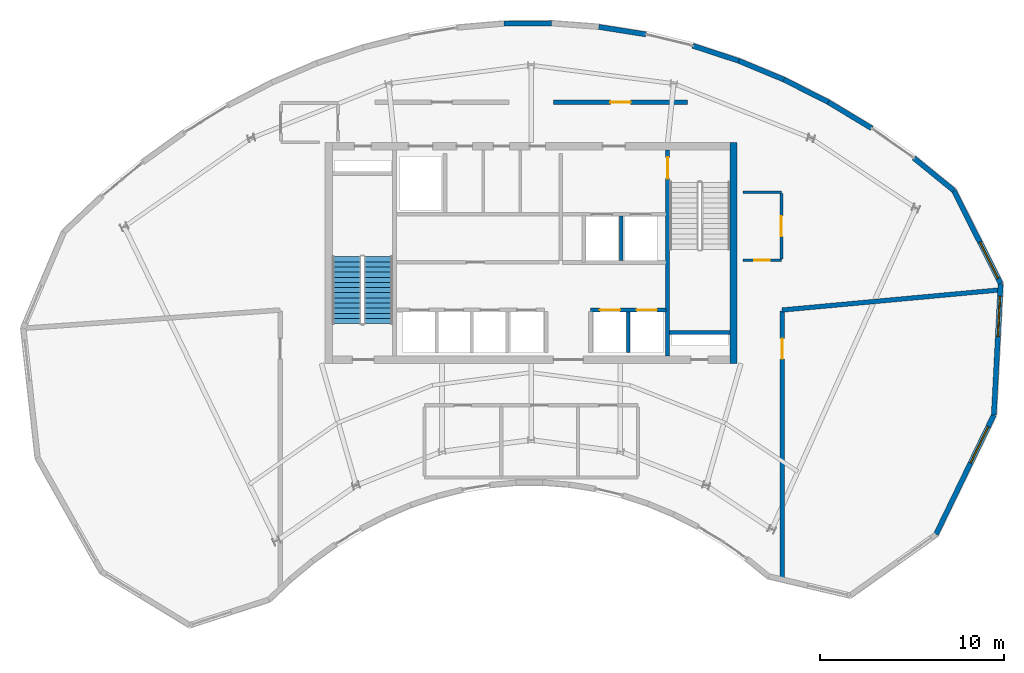
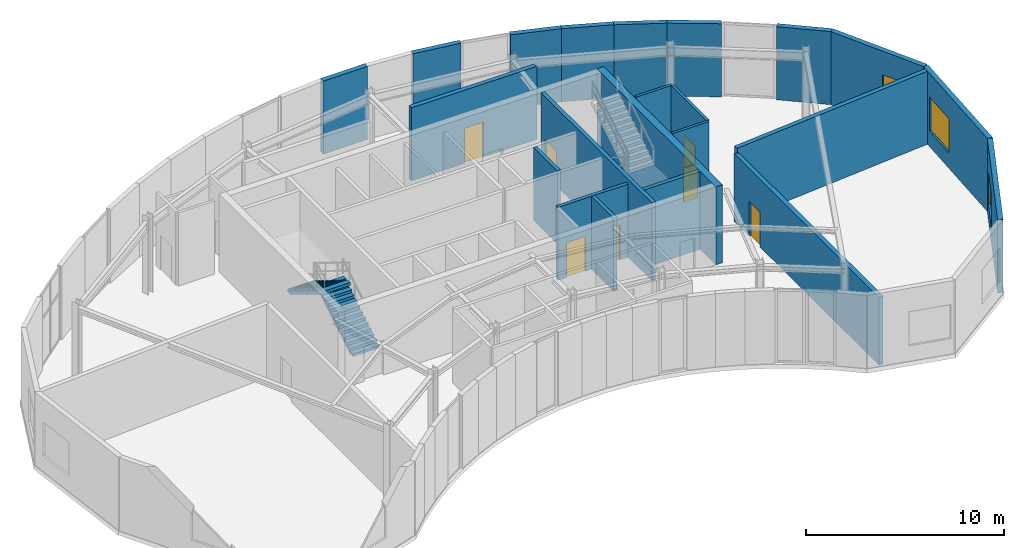
# One storey, part 8 of 10: 22 walls, 7 doors, 3 windows, 2 stair flights, 10 openings, 1 element without a shape of its own.
"""IFC4 building model written with IfcOpenShell, lengths in metres."""

import ifcopenshell
import ifcopenshell.guid

model = None  # the IFC model being written
_history = None  # IfcOwnerHistory: only IFC2X3 demands one
_inside = {}  # id of a spatial element -> (the spatial element, [elements in it])
_under = {}  # id of a project, library or spatial element -> (it, [spatial elements below it])
_declared = {}  # id of a project -> (the project, [libraries it declares])
_typed = {}  # id of a type object -> (the type object, [elements of that type])
_made_of = {}  # id of a material, layer set ... -> (it, [elements and type objects made of it])


def new_model(schema):
    """Start an empty IFC model of exactly this schema.

    Asked for "IFC4X3", IfcOpenShell would pick the latest addendum, in which some entities
    have other attributes; the version numbers below select the first issue.
    IFC2X3 requires an IfcOwnerHistory on every rooted entity: one is made here for all.
    """
    global model, _history
    if schema == "IFC4X3":
        model = ifcopenshell.file(schema_version=(4, 3, 0, 0))
    else:
        model = ifcopenshell.file(schema=schema)
    _inside.clear()
    _under.clear()
    _declared.clear()
    _typed.clear()
    _made_of.clear()
    _history = None
    if model.schema == "IFC2X3":
        org = make("IfcOrganization", Name="unknown")
        user = make(
            "IfcPersonAndOrganization",
            ThePerson=make("IfcPerson", FamilyName="unknown"),
            TheOrganization=org,
        )
        app = make(
            "IfcApplication",
            ApplicationDeveloper=org,
            Version="unknown",
            ApplicationFullName="unknown",
            ApplicationIdentifier="unknown",
        )
        _history = make(
            "IfcOwnerHistory",
            OwningUser=user,
            OwningApplication=app,
            ChangeAction="ADDED",
            CreationDate=0,
        )
    return model


def make(cls, **values):
    """One entity of the class cls with the attributes given. An attribute that is None is left unset."""
    return model.create_entity(
        cls, **{name: value for name, value in values.items() if value is not None}
    )


def rooted(cls, **values):
    """An entity with a GlobalId (a new one), such as an element, a storey or a relation."""
    return make(cls, GlobalId=ifcopenshell.guid.new(), OwnerHistory=_history, **values)


def si_unit(unit_type, name, prefix=None):
    """IfcSIUnit, for example si_unit("LENGTHUNIT", "METRE", prefix="MILLI")."""
    return make("IfcSIUnit", UnitType=unit_type, Prefix=prefix, Name=name)


def assignment(units):
    """IfcUnitAssignment: the units of a project."""
    return None if units is None else make("IfcUnitAssignment", Units=units)


def point(xyz):
    """IfcCartesianPoint."""
    return None if xyz is None else make("IfcCartesianPoint", Coordinates=xyz)


def direction(xyz):
    """IfcDirection."""
    return None if xyz is None else make("IfcDirection", DirectionRatios=xyz)


def frame(location, z_axis=None, x_axis=None):
    """IfcAxis2Placement3D, a coordinate frame: its origin and axes. An axis left out is left unset."""
    return make(
        "IfcAxis2Placement3D",
        Location=point(location),
        Axis=direction(z_axis),
        RefDirection=direction(x_axis),
    )


def frame_2d(location, x_axis=None):
    """IfcAxis2Placement2D, a coordinate frame in the plane: its origin and x axis."""
    return make(
        "IfcAxis2Placement2D", Location=point(location), RefDirection=direction(x_axis)
    )


def origin():
    """The frame at (0, 0, 0) with its axes left unset."""
    return frame((0.0, 0.0, 0.0))


def place(relative_to, where):
    """IfcLocalPlacement: puts the frame where relative to a parent placement (None: the world)."""
    return make(
        "IfcLocalPlacement", PlacementRelTo=relative_to, RelativePlacement=where
    )


def context(
    kind, dimensions, precision=None, world=None, true_north=None, identifier=None
):
    """IfcGeometricRepresentationContext, for example the 3D "Model" context."""
    return make(
        "IfcGeometricRepresentationContext",
        ContextIdentifier=identifier,
        ContextType=kind,
        CoordinateSpaceDimension=dimensions,
        Precision=precision,
        WorldCoordinateSystem=world,
        TrueNorth=true_north,
    )


def subcontext(parent, identifier, kind, view, scale=None):
    """IfcGeometricRepresentationSubContext, for example "Body" below "Model"."""
    return make(
        "IfcGeometricRepresentationSubContext",
        ContextIdentifier=identifier,
        ContextType=kind,
        ParentContext=parent,
        TargetScale=scale,
        TargetView=view,
    )


def project(units=None, contexts=None):
    """IfcProject with its units and contexts."""
    return rooted(
        "IfcProject",
        Name="project",
        RepresentationContexts=contexts,
        UnitsInContext=assignment(units),
    )


def spatial(cls, under=None, at=None, **own):
    """A site, building, storey or space (cls), placed at a placement, below another one or the project."""
    s = rooted(cls, ObjectPlacement=at, **own)
    if under is not None:
        _under.setdefault(under.id(), (under, []))[1].append(s)
    return s


def polyline(points):
    """IfcPolyline through the points."""
    return make("IfcPolyline", Points=[point(p) for p in points])


def profile(cls, at=None, kind="AREA", **sizes):
    """A parametric profile (cls). Its sizes go by their IFC names, for example OverallWidth=200.0."""
    return make(cls, ProfileType=kind, Position=at, **sizes)


def rectangle(**sizes):
    """IfcRectangleProfileDef."""
    return profile("IfcRectangleProfileDef", **sizes)


def outline(outer, holes=None, kind="AREA"):
    """IfcArbitraryClosedProfileDef: a profile drawn as a closed curve; with holes, ...WithVoids."""
    if holes is None:
        return make("IfcArbitraryClosedProfileDef", ProfileType=kind, OuterCurve=outer)
    return make(
        "IfcArbitraryProfileDefWithVoids",
        ProfileType=kind,
        OuterCurve=outer,
        InnerCurves=holes,
    )


def extrude(swept, where, along, depth):
    """IfcExtrudedAreaSolid: the profile swept, set in the frame where, extruded along a direction by depth."""
    return make(
        "IfcExtrudedAreaSolid",
        SweptArea=swept,
        Position=where,
        ExtrudedDirection=direction(along),
        Depth=depth,
    )


def shape(context_of_items, identifier, shape_type, items):
    """IfcShapeRepresentation: the items that make up one representation, for example the "Body"."""
    return make(
        "IfcShapeRepresentation",
        ContextOfItems=context_of_items,
        RepresentationIdentifier=identifier,
        RepresentationType=shape_type,
        Items=items,
    )


def source(mapping_origin, context_of_items, identifier, shape_type, items):
    """IfcRepresentationMap: a shape defined once, which mapped items show again and again."""
    return make(
        "IfcRepresentationMap",
        MappingOrigin=mapping_origin,
        MappedRepresentation=shape(context_of_items, identifier, shape_type, items),
    )


def transform(
    local_origin,
    x_axis=None,
    y_axis=None,
    z_axis=None,
    scale=None,
    scale2=None,
    scale3=None,
    uniform=True,
):
    """IfcCartesianTransformationOperator3D, or its non-uniform kind. x_axis, y_axis, z_axis: its Axis1, 2, 3."""
    if uniform:
        return make(
            "IfcCartesianTransformationOperator3D",
            Axis1=direction(x_axis),
            Axis2=direction(y_axis),
            LocalOrigin=point(local_origin),
            Scale=scale,
            Axis3=direction(z_axis),
        )
    return make(
        "IfcCartesianTransformationOperator3DnonUniform",
        Axis1=direction(x_axis),
        Axis2=direction(y_axis),
        LocalOrigin=point(local_origin),
        Scale=scale,
        Axis3=direction(z_axis),
        Scale2=scale2,
        Scale3=scale3,
    )


def mapped(mapping_source, mapping_target):
    """IfcMappedItem: shows the shape of a source again, moved by a transform."""
    return make(
        "IfcMappedItem", MappingSource=mapping_source, MappingTarget=mapping_target
    )


def material(Name=None, Category=None):
    """IfcMaterial."""
    return make("IfcMaterial", Name=Name, Category=Category)


def layer(
    of_material, thickness, ventilated=None, Name=None, Category=None, Priority=None
):
    """IfcMaterialLayer: one layer of a wall or slab, of a material (None: an air gap)."""
    return make(
        "IfcMaterialLayer",
        Material=of_material,
        LayerThickness=thickness,
        IsVentilated=ventilated,
        Name=Name,
        Category=Category,
        Priority=Priority,
    )


def layer_set(layers, Name=None):
    """IfcMaterialLayerSet."""
    return make("IfcMaterialLayerSet", MaterialLayers=layers, LayerSetName=Name)


def made_of(thing, what):
    """Note that an element or type object is made of a material, layer set ...; save() writes the relation."""
    if what is not None:
        _made_of.setdefault(what.id(), (what, []))[1].append(thing)
    return thing


def type_object(cls, material=None, **own):
    """A type object (cls), such as IfcWallType, which elements share."""
    return made_of(rooted(cls, **own), material)


def type_shapes(of_type, sources):
    """Give a type object the sources (RepresentationMaps) that its elements show as mapped items."""
    of_type.RepresentationMaps = sources


def element(
    cls,
    number,
    at=None,
    inside=None,
    cuts=None,
    type_object=None,
    material=None,
    context=None,
    identifier="Body",
    shape_type=None,
    held_by="IfcProductDefinitionShape",
    body=None,
    shapes=None,
    **own,
):
    """One element of the class cls, such as IfcWall. Its Tag is "e" and its number.

    at: its placement. inside: the storey or other place that contains it. cuts: it is an
    opening in that element (IfcRelVoidsElement). A single representation is given by context,
    identifier, shape_type and body (its items); several are given by shapes. held_by: the class
    of the entity that holds the representations. save() writes the other relations.
    """
    e = rooted(cls, Tag="e%d" % number, ObjectPlacement=at, **own)
    if body is not None:
        shapes = [shape(context, identifier, shape_type, body)]
    if shapes is not None:
        e.Representation = make(held_by, Representations=shapes)
    if inside is not None:
        _inside.setdefault(inside.id(), (inside, []))[1].append(e)
    if cuts is not None:
        rooted(
            "IfcRelVoidsElement", RelatingBuildingElement=cuts, RelatedOpeningElement=e
        )
    if type_object is not None:
        _typed.setdefault(type_object.id(), (type_object, []))[1].append(e)
    return made_of(e, material)


def fill(opening, filler):
    """IfcRelFillsElement: the door or window that sits in an opening."""
    return rooted(
        "IfcRelFillsElement",
        RelatingOpeningElement=opening,
        RelatedBuildingElement=filler,
    )


def aggregate(whole, parts):
    """IfcRelAggregates: a whole, such as a stair, and the parts it consists of."""
    return rooted("IfcRelAggregates", RelatingObject=whole, RelatedObjects=parts)


def save(model, path):
    """Write the relations noted so far, then the file.

    IfcRelAggregates (storeys below a building ...), IfcRelContainedInSpatialStructure (elements
    in a storey), IfcRelDefinesByType, IfcRelAssociatesMaterial and IfcRelDeclares: one each for
    every whole, place, type object, material and project.
    """
    for whole, parts in _under.values():
        aggregate(whole, parts)
    for where, things in _inside.values():
        rooted(
            "IfcRelContainedInSpatialStructure",
            RelatedElements=things,
            RelatingStructure=where,
        )
    for kind, things in _typed.values():
        rooted("IfcRelDefinesByType", RelatedObjects=things, RelatingType=kind)
    for what, things in _made_of.values():
        rooted("IfcRelAssociatesMaterial", RelatedObjects=things, RelatingMaterial=what)
    for by, libraries in _declared.values():
        rooted("IfcRelDeclares", RelatingContext=by, RelatedDefinitions=libraries)
    model.write(path)


model = new_model("IFC4")

# Units and contexts
model_context = context("Model", 3, precision=1e-05, world=origin(), true_north=direction((0.0, 1.0)))
body_context = subcontext(model_context, "Body", "Model", "MODEL_VIEW")
ifc_project = project(units=[si_unit("LENGTHUNIT", "METRE"), si_unit("AREAUNIT", "SQUARE_METRE"), si_unit("VOLUMEUNIT", "CUBIC_METRE"), si_unit("PLANEANGLEUNIT", "RADIAN"), si_unit("MASSUNIT", "GRAM", prefix="KILO")], contexts=[model_context])

# Site, building, storey
site_placement = place(None, origin())
site = spatial("IfcSite", under=ifc_project, at=site_placement, CompositionType="ELEMENT")
building_placement = place(site_placement, origin())
building = spatial("IfcBuilding", under=site, at=building_placement, Name="Breltana Convention Tower", CompositionType="ELEMENT")
storey_placement = place(building_placement, frame((0.0, 0.0, 307.800048828125)))
storey = spatial("IfcBuildingStorey", under=building, at=storey_placement, Name="L75", CompositionType="ELEMENT", Elevation=307.800048828125)

# Walls
ifc_material_1 = material(Name="Concrete C50/60", Category="concrete")
ifc_layer_1 = layer(ifc_material_1, 0.39990234375, Name="Concrete C50/60")
ifc_layer_set_1 = layer_set([ifc_layer_1], Name="Concrete C50/60")
wall_type_1 = type_object("IfcWallType", Name="SW-CORE-400", PredefinedType="SHEAR", material=ifc_layer_set_1)
shared_shape_1 = source(origin(), body_context, "Body", "SweptSolid", [
    extrude(rectangle(XDim=3.27001953125, YDim=0.219970703125, at=frame_2d((1.635009765625, 0.0))), origin(), (0.0, 0.0, 1.0), 4.800048828125),
])
wall_1_placement = place(storey_placement, frame((55.530029296875, 61.889892578125, 0.0), z_axis=(0.0, 0.0, 1.0), x_axis=(1.0, 0.0, 0.0)))
element("IfcWall", 1, at=wall_1_placement, inside=storey, type_object=wall_type_1, Name="L75 ST-2 Stairwell South Bearing Wall", PredefinedType="SHEAR", context=body_context, shape_type="MappedRepresentation", body=[
    mapped(shared_shape_1, transform((0.0, 0.0, 0.0), scale=1.0)),
])
shared_shape_2 = source(origin(), body_context, "Body", "SweptSolid", [
    extrude(rectangle(XDim=12.0, YDim=0.39990234375, at=frame_2d((6.0, 0.0))), origin(), (0.0, 0.0, 1.0), 4.800048828125),
])
wall_2_placement = place(storey_placement, frame((59.0, 60.199951171875, 0.0), z_axis=(0.0, 0.0, 1.0), x_axis=(0.0, 1.0, 0.0)))
element("IfcWall", 2, at=wall_2_placement, inside=storey, type_object=wall_type_1, Name="L75 East Core Shear Wall", PredefinedType="SHEAR", context=body_context, shape_type="MappedRepresentation", body=[
    mapped(shared_shape_2, transform((0.0, 0.0, 0.0), scale=1.0)),
])

# Wall, opening, door
shared_shape_3 = source(origin(), body_context, "Body", "SweptSolid", [
    extrude(rectangle(XDim=11.199951171875, YDim=0.219970703125, at=frame_2d((5.60009765625, 0.0))), origin(), (0.0, 0.0, 1.0), 4.800048828125),
])
wall_3_placement = place(storey_placement, frame((55.419921875, 60.60009765625, 0.0), z_axis=(0.0, 0.0, 1.0), x_axis=(0.0, 1.0, 0.0)))
wall_3 = element("IfcWall", 3, at=wall_3_placement, inside=storey, type_object=wall_type_1, Name="L75 Core East Stair Spine Wall", PredefinedType="SHEAR", context=body_context, shape_type="MappedRepresentation", body=[
    mapped(shared_shape_3, transform((0.0, 0.0, 0.0), scale=1.0)),
])
opening_1_placement = place(wall_3_placement, frame((9.64501953125, 0.0, 0.0)))
opening_1 = element("IfcOpeningElement", 4, at=opening_1_placement, cuts=wall_3, Name="Opening D-11", PredefinedType="OPENING", context=body_context, shape_type="SweptSolid", body=[
    extrude(rectangle(XDim=1.14990234375, YDim=2.14990234375, at=frame_2d((0.574951171875, 1.074951171875))), frame((0.0, 0.1201171875, 0.0), z_axis=(0.0, -1.0, 0.0), x_axis=(1.0, 0.0, 0.0)), (0.0, 0.0, 1.0), 0.239990234375),
])
ifc_material_2 = material(Name="Steel Stair Exit Door", Category="steel")
door_type_1 = type_object("IfcDoorType", Name="DR-FD120-1150", OperationType="NOTDEFINED", PredefinedType="DOOR", material=ifc_material_2)
shared_shape_4 = source(origin(), body_context, "Body", "SweptSolid", [
    extrude(rectangle(XDim=1.14990234375, YDim=2.14990234375, at=frame_2d((0.574951171875, 1.074951171875))), frame((0.0, 0.02490234375, 0.0), z_axis=(0.0, -1.0, 0.0), x_axis=(1.0, 0.0, 0.0)), (0.0, 0.0, 1.0), 0.050048828125),
])
type_shapes(door_type_1, [shared_shape_4])
door_1_placement = place(opening_1_placement, origin())
door_1 = element("IfcDoor", 5, at=door_1_placement, inside=storey, type_object=door_type_1, Name="L75 interior door D-L75-ST2", OperationType="SINGLE_SWING_LEFT", OverallHeight=2.14990234375, OverallWidth=1.14990234375, PredefinedType="DOOR", context=body_context, shape_type="MappedRepresentation", body=[
    mapped(shared_shape_4, transform((0.0, 0.0, 0.0), scale=1.0)),
])
fill(opening_1, door_1)

# Wall, opening, window
ifc_material_3 = material(Name="Limestone Buff Insulated Wall", Category="masonry")
ifc_layer_2 = layer(ifc_material_3, 0.280029296875, Name="Limestone Buff Insulated Wall")
ifc_layer_set_2 = layer_set([ifc_layer_2], Name="Limestone Buff Insulated Wall")
wall_type_2 = type_object("IfcWallType", Name="WL-EXT-NOSE-280", PredefinedType="SOLIDWALL", material=ifc_layer_set_2)
shared_shape_5 = source(origin(), body_context, "Body", "SweptSolid", [
    extrude(rectangle(XDim=5.6533203125, YDim=0.280029296875, at=frame_2d((2.82666015625, 0.0))), origin(), (0.0, 0.0, 1.0), 4.5),
])
wall_4_placement = place(storey_placement, frame((70.976318359375, 69.5908203125, 0.0), z_axis=(0.0, 0.0, 1.0), x_axis=(0.449302555419, -0.893379658205, 0.0)))
wall_4 = element("IfcWall", 6, at=wall_4_placement, inside=storey, type_object=wall_type_2, Name="L75 curved limestone nose wall E1", PredefinedType="SOLIDWALL", context=body_context, shape_type="MappedRepresentation", body=[
    mapped(shared_shape_5, transform((0.0, 0.0, 0.0), scale=1.0)),
])
opening_2_placement = place(wall_4_placement, frame((3.139892578125, 0.0, 0.949951171875)))
opening_2 = element("IfcOpeningElement", 7, at=opening_2_placement, cuts=wall_4, Name="Opening W-03", PredefinedType="OPENING", context=body_context, shape_type="SweptSolid", body=[
    extrude(rectangle(XDim=2.199951171875, YDim=2.10009765625, at=frame_2d((1.10009765625, 1.050048828125))), frame((0.0, 0.14990234375, 0.0), z_axis=(0.0, -1.0, 0.0), x_axis=(1.0, 0.0, 0.0)), (0.0, 0.0, 1.0), 0.300048828125),
])
ifc_material_4 = material(Name="Glass Low-E Insulated Window", Category="glass")
window_type = type_object("IfcWindowType", Name="WN-NOSE-2200X2100", PartitioningType="TRIPLE_PANEL_VERTICAL", PredefinedType="WINDOW", material=ifc_material_4)
shared_shape_6 = source(origin(), body_context, "Body", "SweptSolid", [
    extrude(rectangle(XDim=2.199951171875, YDim=2.10009765625, at=frame_2d((1.10009765625, 1.050048828125))), frame((0.0, 0.030029296875, 0.0), z_axis=(0.0, -1.0, 0.0), x_axis=(1.0, 0.0, 0.0)), (0.0, 0.0, 1.0), 0.06005859375),
])
type_shapes(window_type, [shared_shape_6])
window_1_placement = place(opening_2_placement, origin())
window_1 = element("IfcWindow", 8, at=window_1_placement, inside=storey, type_object=window_type, Name="L75 nose window E1", OverallHeight=2.10009765625, OverallWidth=2.199951171875, PartitioningType="TRIPLE_PANEL_VERTICAL", PredefinedType="WINDOW", context=body_context, shape_type="MappedRepresentation", body=[
    mapped(shared_shape_6, transform((0.0, 0.0, 0.0), scale=1.0)),
])
fill(opening_2, window_1)

shared_shape_7 = source(origin(), body_context, "Body", "SweptSolid", [
    extrude(rectangle(XDim=7.151123046875, YDim=0.280029296875, at=frame_2d((3.57568359375, 0.0))), origin(), (0.0, 0.0, 1.0), 4.5),
])
wall_5_placement = place(storey_placement, frame((73.516357421875, 64.540283203125, 0.0), z_axis=(0.0, 0.0, 1.0), x_axis=(-0.051449614265, -0.998675591567, 0.0)))
wall_5 = element("IfcWall", 9, at=wall_5_placement, inside=storey, type_object=wall_type_2, Name="L75 curved limestone nose wall E2", PredefinedType="SOLIDWALL", context=body_context, shape_type="MappedRepresentation", body=[
    mapped(shared_shape_7, transform((0.0, 0.0, 0.0), scale=1.0)),
])
opening_3_placement = place(wall_5_placement, frame((0.687744140625, 0.0, 0.949951171875)))
opening_3 = element("IfcOpeningElement", 10, at=opening_3_placement, cuts=wall_5, Name="Opening W-03", PredefinedType="OPENING", context=body_context, shape_type="SweptSolid", body=[
    extrude(rectangle(XDim=2.199951171875, YDim=2.10009765625, at=frame_2d((1.10009765625, 1.050048828125))), frame((0.0, 0.14990234375, 0.0), z_axis=(0.0, -1.0, 0.0), x_axis=(1.0, 0.0, 0.0)), (0.0, 0.0, 1.0), 0.300048828125),
])
window_2_placement = place(opening_3_placement, origin())
window_2 = element("IfcWindow", 11, at=window_2_placement, inside=storey, type_object=window_type, Name="L75 nose window E2", OverallHeight=2.10009765625, OverallWidth=2.199951171875, PartitioningType="TRIPLE_PANEL_VERTICAL", PredefinedType="WINDOW", context=body_context, shape_type="MappedRepresentation", body=[
    mapped(shared_shape_6, transform((0.0, 0.0, 0.0), scale=1.0)),
])
fill(opening_3, window_2)

shared_shape_8 = source(origin(), body_context, "Body", "SweptSolid", [
    extrude(rectangle(XDim=7.21142578125, YDim=0.280029296875, at=frame_2d((3.605712890625, 0.0))), origin(), (0.0, 0.0, 1.0), 4.5),
])
wall_6_placement = place(storey_placement, frame((73.1484375, 57.398681640625, 0.0), z_axis=(0.0, 0.0, 1.0), x_axis=(-0.436088263006, -0.899903898685, 0.0)))
wall_6 = element("IfcWall", 12, at=wall_6_placement, inside=storey, type_object=wall_type_2, Name="L75 curved limestone nose wall E3", PredefinedType="SOLIDWALL", context=body_context, shape_type="MappedRepresentation", body=[
    mapped(shared_shape_8, transform((0.0, 0.0, 0.0), scale=1.0)),
])
opening_4_placement = place(wall_6_placement, frame((0.702880859375, 0.0, 0.949951171875)))
opening_4 = element("IfcOpeningElement", 13, at=opening_4_placement, cuts=wall_6, Name="Opening W-03", PredefinedType="OPENING", context=body_context, shape_type="SweptSolid", body=[
    extrude(rectangle(XDim=2.199951171875, YDim=2.10009765625, at=frame_2d((1.10009765625, 1.050048828125))), frame((0.0, 0.14990234375, 0.0), z_axis=(0.0, -1.0, 0.0), x_axis=(1.0, 0.0, 0.0)), (0.0, 0.0, 1.0), 0.300048828125),
])
window_3_placement = place(opening_4_placement, origin())
window_3 = element("IfcWindow", 14, at=window_3_placement, inside=storey, type_object=window_type, Name="L75 nose window E3", OverallHeight=2.10009765625, OverallWidth=2.199951171875, PartitioningType="TRIPLE_PANEL_VERTICAL", PredefinedType="WINDOW", context=body_context, shape_type="MappedRepresentation", body=[
    mapped(shared_shape_6, transform((0.0, 0.0, 0.0), scale=1.0)),
])
fill(opening_4, window_3)

# Walls
shared_shape_9 = source(origin(), body_context, "Body", "SweptSolid", [
    extrude(rectangle(XDim=2.578125, YDim=0.280029296875, at=frame_2d((1.2890625, 0.0))), origin(), (0.0, 0.0, 1.0), 4.5),
])
wall_7_placement = place(storey_placement, frame((46.52685546875, 78.668212890625, 0.0), z_axis=(0.0, 0.0, 1.0), x_axis=(0.999982204439, 0.005965802924, 0.0)))
element("IfcWall", 15, at=wall_7_placement, inside=storey, type_object=wall_type_2, Name="L75 curved limestone nose wall E26", PredefinedType="SOLIDWALL", context=body_context, shape_type="MappedRepresentation", body=[
    mapped(shared_shape_9, transform((0.0, 0.0, 0.0), scale=1.0)),
])
shared_shape_10 = source(origin(), body_context, "Body", "SweptSolid", [
    extrude(rectangle(XDim=2.592529296875, YDim=0.280029296875, at=frame_2d((1.29638671875, 0.0))), origin(), (0.0, 0.0, 1.0), 4.5),
])
wall_8_placement = place(storey_placement, frame((51.6787109375, 78.487548828125, 0.0), z_axis=(0.0, 0.0, 1.0), x_axis=(0.987661204406, -0.156605700126, 0.0)))
element("IfcWall", 16, at=wall_8_placement, inside=storey, type_object=wall_type_2, Name="L75 curved limestone nose wall E28", PredefinedType="SOLIDWALL", context=body_context, shape_type="MappedRepresentation", body=[
    mapped(shared_shape_10, transform((0.0, 0.0, 0.0), scale=1.0)),
])
shared_shape_11 = source(origin(), body_context, "Body", "SweptSolid", [
    extrude(rectangle(XDim=2.63623046875, YDim=0.280029296875, at=frame_2d((1.318115234375, 0.0))), origin(), (0.0, 0.0, 1.0), 4.5),
])
wall_9_placement = place(storey_placement, frame((56.776611328125, 77.466796875, 0.0), z_axis=(0.0, 0.0, 1.0), x_axis=(0.950200321617, -0.311639774097, 0.0)))
element("IfcWall", 17, at=wall_9_placement, inside=storey, type_object=wall_type_2, Name="L75 curved limestone nose wall E29", PredefinedType="SOLIDWALL", context=body_context, shape_type="MappedRepresentation", body=[
    mapped(shared_shape_11, transform((0.0, 0.0, 0.0), scale=1.0)),
])
shared_shape_12 = source(origin(), body_context, "Body", "SweptSolid", [
    extrude(rectangle(XDim=2.668212890625, YDim=0.280029296875, at=frame_2d((1.333984375, 0.0))), origin(), (0.0, 0.0, 1.0), 4.5),
])
wall_10_placement = place(storey_placement, frame((59.281494140625, 76.645263671875, 0.0), z_axis=(0.0, 0.0, 1.0), x_axis=(0.923290633029, -0.384102078828, 0.0)))
element("IfcWall", 18, at=wall_10_placement, inside=storey, type_object=wall_type_2, Name="L75 curved limestone nose wall E30", PredefinedType="SOLIDWALL", context=body_context, shape_type="MappedRepresentation", body=[
    mapped(shared_shape_12, transform((0.0, 0.0, 0.0), scale=1.0)),
])
shared_shape_13 = source(origin(), body_context, "Body", "SweptSolid", [
    extrude(rectangle(XDim=2.70556640625, YDim=0.280029296875, at=frame_2d((1.352783203125, 0.0))), origin(), (0.0, 0.0, 1.0), 4.5),
])
wall_11_placement = place(storey_placement, frame((61.7451171875, 75.620361328125, 0.0), z_axis=(0.0, 0.0, 1.0), x_axis=(0.891648836287, -0.452727680564, 0.0)))
element("IfcWall", 19, at=wall_11_placement, inside=storey, type_object=wall_type_2, Name="L75 curved limestone nose wall E31", PredefinedType="SOLIDWALL", context=body_context, shape_type="MappedRepresentation", body=[
    mapped(shared_shape_13, transform((0.0, 0.0, 0.0), scale=1.0)),
])
shared_shape_14 = source(origin(), body_context, "Body", "SweptSolid", [
    extrude(rectangle(XDim=2.748291015625, YDim=0.280029296875, at=frame_2d((1.3740234375, 0.0))), origin(), (0.0, 0.0, 1.0), 4.5),
])
wall_12_placement = place(storey_placement, frame((64.157470703125, 74.3955078125, 0.0), z_axis=(0.0, 0.0, 1.0), x_axis=(0.856149718453, -0.516727838996, 0.0)))
element("IfcWall", 20, at=wall_12_placement, inside=storey, type_object=wall_type_2, Name="L75 curved limestone nose wall E32", PredefinedType="SOLIDWALL", context=body_context, shape_type="MappedRepresentation", body=[
    mapped(shared_shape_14, transform((0.0, 0.0, 0.0), scale=1.0)),
])
shared_shape_15 = source(origin(), body_context, "Body", "SweptSolid", [
    extrude(rectangle(XDim=2.811767578125, YDim=0.280029296875, at=frame_2d((1.40576171875, 0.0))), origin(), (0.0, 0.0, 1.0), 4.5),
])
wall_13_placement = place(storey_placement, frame((68.794677734375, 71.36474609375, 0.0), z_axis=(0.0, 0.0, 1.0), x_axis=(0.775880230716, -0.630880232361, 0.0)))
element("IfcWall", 21, at=wall_13_placement, inside=storey, type_object=wall_type_2, Name="L75 curved limestone nose wall E33", PredefinedType="SOLIDWALL", context=body_context, shape_type="MappedRepresentation", body=[
    mapped(shared_shape_15, transform((0.0, 0.0, 0.0), scale=1.0)),
])
ifc_material_5 = material(Name="Autoclaved Aerated Concrete Block", Category="concrete")
ifc_layer_3 = layer(ifc_material_5, 0.199951171875, Name="Autoclaved Aerated Concrete Block")
ifc_layer_set_3 = layer_set([ifc_layer_3], Name="Autoclaved Aerated Concrete Block")
wall_type_3 = type_object("IfcWallType", Name="WL-SHAFT-200", PredefinedType="SOLIDWALL", material=ifc_layer_set_3)
shared_shape_16 = source(origin(), body_context, "Body", "SweptSolid", [
    extrude(rectangle(XDim=2.39990234375, YDim=0.199951171875, at=frame_2d((1.199951171875, 0.0))), origin(), (0.0, 0.0, 1.0), 4.5),
])
wall_14_placement = place(storey_placement, frame((52.89990234375, 65.800048828125, 0.0), z_axis=(0.0, 0.0, 1.0), x_axis=(0.0, 1.0, 0.0)))
element("IfcWall", 22, at=wall_14_placement, inside=storey, type_object=wall_type_3, Name="L75 interior partition W-L75-FL-DIV", PredefinedType="SOLIDWALL", context=body_context, shape_type="MappedRepresentation", body=[
    mapped(shared_shape_16, transform((0.0, 0.0, 0.0), scale=1.0)),
])

# Wall, openings, doors
shared_shape_17 = source(origin(), body_context, "Body", "SweptSolid", [
    extrude(rectangle(XDim=4.10009765625, YDim=0.199951171875, at=frame_2d((2.050048828125, 0.0))), origin(), (0.0, 0.0, 1.0), 4.5),
])
wall_15_placement = place(storey_placement, frame((51.219970703125, 63.10009765625, 0.0), z_axis=(0.0, 0.0, 1.0), x_axis=(1.0, 0.0, 0.0)))
wall_15 = element("IfcWall", 23, at=wall_15_placement, inside=storey, type_object=wall_type_3, Name="L75 interior partition W-L75-SH-X-FRONT", PredefinedType="SOLIDWALL", context=body_context, shape_type="MappedRepresentation", body=[
    mapped(shared_shape_17, transform((0.0, 0.0, 0.0), scale=1.0)),
])
opening_5_placement = place(wall_15_placement, frame((0.510009765625, 0.0, 0.0)))
opening_5 = element("IfcOpeningElement", 24, at=opening_5_placement, cuts=wall_15, Name="Opening LD-02", PredefinedType="OPENING", context=body_context, shape_type="SweptSolid", body=[
    extrude(rectangle(XDim=1.10009765625, YDim=2.14990234375, at=frame_2d((0.550048828125, 1.074951171875))), frame((0.0, 0.10986328125, 0.0), z_axis=(0.0, -1.0, 0.0), x_axis=(1.0, 0.0, 0.0)), (0.0, 0.0, 1.0), 0.219970703125),
])
opening_6_placement = place(wall_15_placement, frame((2.510009765625, 0.0, 0.0)))
opening_6 = element("IfcOpeningElement", 25, at=opening_6_placement, cuts=wall_15, Name="Opening LD-02", PredefinedType="OPENING", context=body_context, shape_type="SweptSolid", body=[
    extrude(rectangle(XDim=1.10009765625, YDim=2.14990234375, at=frame_2d((0.550048828125, 1.074951171875))), frame((0.0, 0.10986328125, 0.0), z_axis=(0.0, -1.0, 0.0), x_axis=(1.0, 0.0, 0.0)), (0.0, 0.0, 1.0), 0.219970703125),
])
ifc_material_6 = material(Name="Stainless Steel Bronze", Category="steel")
door_type_2 = type_object("IfcDoorType", Name="DR-LD-EXP-1100", OperationType="DOUBLE_DOOR_SLIDING", PredefinedType="DOOR", material=ifc_material_6)
shared_shape_18 = source(origin(), body_context, "Body", "SweptSolid", [
    extrude(rectangle(XDim=1.10009765625, YDim=2.14990234375, at=frame_2d((0.550048828125, 1.074951171875))), frame((0.0, 0.02490234375, 0.0), z_axis=(0.0, -1.0, 0.0), x_axis=(1.0, 0.0, 0.0)), (0.0, 0.0, 1.0), 0.050048828125),
])
type_shapes(door_type_2, [shared_shape_18])
door_2_placement = place(opening_5_placement, origin())
door_2 = element("IfcDoor", 26, at=door_2_placement, inside=storey, type_object=door_type_2, Name="L75 Lift Landing Door D-L75-LD-X1", OperationType="DOUBLE_DOOR_SLIDING", OverallHeight=2.14990234375, OverallWidth=1.10009765625, PredefinedType="DOOR", context=body_context, shape_type="MappedRepresentation", body=[
    mapped(shared_shape_18, transform((0.0, 0.0, 0.0), scale=1.0)),
])
fill(opening_5, door_2)
door_3_placement = place(opening_6_placement, origin())
door_3 = element("IfcDoor", 27, at=door_3_placement, inside=storey, type_object=door_type_2, Name="L75 Lift Landing Door D-L75-LD-X2", OperationType="DOUBLE_DOOR_SLIDING", OverallHeight=2.14990234375, OverallWidth=1.10009765625, PredefinedType="DOOR", context=body_context, shape_type="MappedRepresentation", body=[
    mapped(shared_shape_18, transform((0.0, 0.0, 0.0), scale=1.0)),
])
fill(opening_6, door_3)

# Wall
shared_shape_19 = source(origin(), body_context, "Body", "SweptSolid", [
    extrude(rectangle(XDim=2.199951171875, YDim=0.199951171875, at=frame_2d((1.10009765625, 0.0))), origin(), (0.0, 0.0, 1.0), 4.5),
])
wall_16_placement = place(storey_placement, frame((53.280029296875, 60.800048828125, 0.0), z_axis=(0.0, 0.0, 1.0), x_axis=(0.0, 1.0, 0.0)))
element("IfcWall", 28, at=wall_16_placement, inside=storey, type_object=wall_type_3, Name="L75 interior partition W-L75-SH-X-DIV", PredefinedType="SOLIDWALL", context=body_context, shape_type="MappedRepresentation", body=[
    mapped(shared_shape_19, transform((0.0, 0.0, 0.0), scale=1.0)),
])

# Wall, opening, door
ifc_material_7 = material(Name="Gypsum Acoustic Drywall Partition")
ifc_layer_4 = layer(ifc_material_7, 0.14990234375, Name="Gypsum Acoustic Drywall Partition")
ifc_layer_set_4 = layer_set([ifc_layer_4], Name="Gypsum Acoustic Drywall Partition")
wall_type_4 = type_object("IfcWallType", Name="WL-PART-150", PredefinedType="PARTITIONING", material=ifc_layer_set_4)
shared_shape_20 = source(origin(), body_context, "Body", "SweptSolid", [
    extrude(rectangle(XDim=2.10009765625, YDim=0.14990234375, at=frame_2d((1.050048828125, 0.0))), origin(), (0.0, 0.0, 1.0), 4.5),
])
wall_17_placement = place(storey_placement, frame((59.5, 65.800048828125, 0.0), z_axis=(0.0, 0.0, 1.0), x_axis=(1.0, 0.0, 0.0)))
wall_17 = element("IfcWall", 29, at=wall_17_placement, inside=storey, type_object=wall_type_4, Name="L75 interior partition W-L75-CRSE-S", PredefinedType="PARTITIONING", context=body_context, shape_type="MappedRepresentation", body=[
    mapped(shared_shape_20, transform((0.0, 0.0, 0.0), scale=1.0)),
])
opening_7_placement = place(wall_17_placement, frame((0.625, 0.0, 0.0)))
opening_7 = element("IfcOpeningElement", 30, at=opening_7_placement, cuts=wall_17, Name="Opening D-20", PredefinedType="OPENING", context=body_context, shape_type="SweptSolid", body=[
    extrude(rectangle(XDim=0.85009765625, YDim=2.10009765625, at=frame_2d((0.425048828125, 1.050048828125))), frame((0.0, 0.0849609375, 0.0), z_axis=(0.0, -1.0, 0.0), x_axis=(1.0, 0.0, 0.0)), (0.0, 0.0, 1.0), 0.169921875),
])
ifc_material_8 = material(Name="Steel Closet Fire Door", Category="steel")
door_type_3 = type_object("IfcDoorType", Name="DR-FD60-850", OperationType="NOTDEFINED", PredefinedType="DOOR", material=ifc_material_8)
shared_shape_21 = source(origin(), body_context, "Body", "SweptSolid", [
    extrude(rectangle(XDim=0.85009765625, YDim=2.10009765625, at=frame_2d((0.425048828125, 1.050048828125))), frame((0.0, 0.02490234375, 0.0), z_axis=(0.0, -1.0, 0.0), x_axis=(1.0, 0.0, 0.0)), (0.0, 0.0, 1.0), 0.050048828125),
])
type_shapes(door_type_3, [shared_shape_21])
door_4_placement = place(opening_7_placement, origin())
door_4 = element("IfcDoor", 31, at=door_4_placement, inside=storey, type_object=door_type_3, Name="L75 interior door D-L75-CRSE", OperationType="SINGLE_SWING_RIGHT", OverallHeight=2.10009765625, OverallWidth=0.85009765625, PredefinedType="DOOR", context=body_context, shape_type="MappedRepresentation", body=[
    mapped(shared_shape_21, transform((0.0, 0.0, 0.0), scale=1.0)),
])
fill(opening_7, door_4)

# Wall
wall_18_placement = place(storey_placement, frame((59.5, 69.5, 0.0), z_axis=(0.0, 0.0, 1.0), x_axis=(1.0, 0.0, 0.0)))
element("IfcWall", 32, at=wall_18_placement, inside=storey, type_object=wall_type_4, Name="L75 interior partition W-L75-CRSE-N", PredefinedType="PARTITIONING", context=body_context, shape_type="MappedRepresentation", body=[
    mapped(shared_shape_20, transform((0.0, 0.0, 0.0), scale=1.0)),
])

# Wall, opening, door
shared_shape_22 = source(origin(), body_context, "Body", "SweptSolid", [
    extrude(rectangle(XDim=3.565185546875, YDim=0.14990234375, at=frame_2d((1.78271484375, 0.0))), origin(), (0.0, 0.0, 1.0), 4.5),
])
wall_19_placement = place(storey_placement, frame((61.60009765625, 65.867431640625, 0.0), z_axis=(0.0, 0.0, 1.0), x_axis=(0.0, 1.0, 0.0)))
wall_19 = element("IfcWall", 33, at=wall_19_placement, inside=storey, type_object=wall_type_4, Name="L75 interior partition W-L75-CRSE-E", PredefinedType="PARTITIONING", context=body_context, shape_type="MappedRepresentation", body=[
    mapped(shared_shape_22, transform((0.0, 0.0, 0.0), scale=1.0)),
])
opening_8_placement = place(wall_19_placement, frame((1.232421875, 0.0, 0.0)))
opening_8 = element("IfcOpeningElement", 34, at=opening_8_placement, cuts=wall_19, Name="Opening D-12", PredefinedType="OPENING", context=body_context, shape_type="SweptSolid", body=[
    extrude(rectangle(XDim=1.10009765625, YDim=2.14990234375, at=frame_2d((0.550048828125, 1.074951171875))), frame((0.0, 0.0849609375, 0.0), z_axis=(0.0, -1.0, 0.0), x_axis=(1.0, 0.0, 0.0)), (0.0, 0.0, 1.0), 0.169921875),
])
ifc_material_9 = material(Name="Timber Oak Acoustic Door", Category="wood")
door_type_4 = type_object("IfcDoorType", Name="DR-INT-1100", OperationType="NOTDEFINED", PredefinedType="DOOR", material=ifc_material_9)
shared_shape_23 = source(origin(), body_context, "Body", "SweptSolid", [
    extrude(rectangle(XDim=1.10009765625, YDim=2.14990234375, at=frame_2d((0.550048828125, 1.074951171875))), frame((0.0, 0.02490234375, 0.0), z_axis=(0.0, -1.0, 0.0), x_axis=(1.0, 0.0, 0.0)), (0.0, 0.0, 1.0), 0.050048828125),
])
type_shapes(door_type_4, [shared_shape_23])
door_5_placement = place(opening_8_placement, origin())
door_5 = element("IfcDoor", 35, at=door_5_placement, inside=storey, type_object=door_type_4, Name="L75 interior door D-L75-OGE2", OperationType="SINGLE_SWING_LEFT", OverallHeight=2.14990234375, OverallWidth=1.10009765625, PredefinedType="DOOR", context=body_context, shape_type="MappedRepresentation", body=[
    mapped(shared_shape_23, transform((0.0, 0.0, 0.0), scale=1.0)),
])
fill(opening_8, door_5)

ifc_material_10 = material(Name="Gypsum Acoustic Double Stud Wall")
ifc_layer_5 = layer(ifc_material_10, 0.25, Name="Gypsum Acoustic Double Stud Wall")
ifc_layer_set_5 = layer_set([ifc_layer_5], Name="Gypsum Acoustic Double Stud Wall")
wall_type_5 = type_object("IfcWallType", Name="WL-ACOUSTIC-250", PredefinedType="PARTITIONING", material=ifc_layer_set_5)
shared_shape_24 = source(origin(), body_context, "Body", "SweptSolid", [
    extrude(rectangle(XDim=7.300048828125, YDim=0.25, at=frame_2d((3.64990234375, 0.0))), origin(), (0.0, 0.0, 1.0), 4.5),
])
wall_20_placement = place(storey_placement, frame((49.199951171875, 74.39990234375, 0.0), z_axis=(0.0, 0.0, 1.0), x_axis=(1.0, 0.0, 0.0)))
wall_20 = element("IfcWall", 36, at=wall_20_placement, inside=storey, type_object=wall_type_5, Name="L75 interior partition W-L75-EXN2-S", PredefinedType="PARTITIONING", context=body_context, shape_type="MappedRepresentation", body=[
    mapped(shared_shape_24, transform((0.0, 0.0, 0.0), scale=1.0)),
])
opening_9_placement = place(wall_20_placement, frame((3.10009765625, 0.0, 0.0)))
opening_9 = element("IfcOpeningElement", 37, at=opening_9_placement, cuts=wall_20, Name="Opening D-12", PredefinedType="OPENING", context=body_context, shape_type="SweptSolid", body=[
    extrude(rectangle(XDim=1.10009765625, YDim=2.14990234375, at=frame_2d((0.550048828125, 1.074951171875))), frame((0.0, 0.135009765625, 0.0), z_axis=(0.0, -1.0, 0.0), x_axis=(1.0, 0.0, 0.0)), (0.0, 0.0, 1.0), 0.27001953125),
])
door_6_placement = place(opening_9_placement, origin())
door_6 = element("IfcDoor", 38, at=door_6_placement, inside=storey, type_object=door_type_4, Name="L75 interior door D-L75-EXN2", OperationType="SINGLE_SWING_LEFT", OverallHeight=2.14990234375, OverallWidth=1.10009765625, PredefinedType="DOOR", context=body_context, shape_type="MappedRepresentation", body=[
    mapped(shared_shape_23, transform((0.0, 0.0, 0.0), scale=1.0)),
])
fill(opening_9, door_6)

# Wall
shared_shape_25 = source(origin(), body_context, "Body", "SweptSolid", [
    extrude(rectangle(XDim=11.7880859375, YDim=0.25, at=frame_2d((5.89404296875, 0.0))), origin(), (0.0, 0.0, 1.0), 4.5),
])
wall_21_placement = place(storey_placement, frame((61.639892578125, 63.10009765625, 0.0), z_axis=(0.0, 0.0, 1.0), x_axis=(0.995763003616, 0.091956732379, 0.0)))
element("IfcWall", 39, at=wall_21_placement, inside=storey, type_object=wall_type_5, Name="L75 interior partition W-L75-OGE-M", PredefinedType="PARTITIONING", context=body_context, shape_type="MappedRepresentation", body=[
    mapped(shared_shape_25, transform((0.0, 0.0, 0.0), scale=1.0)),
])

# Wall, opening, door
shared_shape_26 = source(origin(), body_context, "Body", "SweptSolid", [
    extrude(rectangle(XDim=14.580810546875, YDim=0.25, at=frame_2d((7.29052734375, 0.0))), origin(), (0.0, 0.0, 1.0), 4.174072265625),
])
wall_22_placement = place(storey_placement, frame((61.639892578125, 48.46923828125, 0.0), z_axis=(0.0, 0.0, 1.0), x_axis=(0.0, 1.0, 0.0)))
wall_22 = element("IfcWall", 40, at=wall_22_placement, inside=storey, type_object=wall_type_5, Name="L75 interior partition W-L75-OGE1-D", PredefinedType="PARTITIONING", context=body_context, shape_type="MappedRepresentation", body=[
    mapped(shared_shape_26, transform((0.0, 0.0, 0.0), scale=1.0)),
])
opening_10_placement = place(wall_22_placement, frame((11.980712890625, 0.0, 0.0)))
opening_10 = element("IfcOpeningElement", 41, at=opening_10_placement, cuts=wall_22, Name="Opening D-12", PredefinedType="OPENING", context=body_context, shape_type="SweptSolid", body=[
    extrude(rectangle(XDim=1.10009765625, YDim=2.14990234375, at=frame_2d((0.550048828125, 1.074951171875))), frame((0.0, 0.135009765625, 0.0), z_axis=(0.0, -1.0, 0.0), x_axis=(1.0, 0.0, 0.0)), (0.0, 0.0, 1.0), 0.27001953125),
])
door_7_placement = place(opening_10_placement, origin())
door_7 = element("IfcDoor", 42, at=door_7_placement, inside=storey, type_object=door_type_4, Name="L75 interior door D-L75-OGE1", OperationType="SINGLE_SWING_RIGHT", OverallHeight=2.14990234375, OverallWidth=1.10009765625, PredefinedType="DOOR", context=body_context, shape_type="MappedRepresentation", body=[
    mapped(shared_shape_23, transform((0.0, 0.0, 0.0), scale=1.0)),
])
fill(opening_10, door_7)

# Stair, stair flights
ifc_material_11 = material(Name="Concrete C40/50", Category="concrete")
stair_type = type_object("IfcStairType", Name="ST-DOG-1560-R171", PredefinedType="HALF_TURN_STAIR", material=ifc_material_11)
stair_placement = place(storey_placement, origin())
stair = element("IfcStair", 43, at=stair_placement, inside=storey, type_object=stair_type, Name="L75 Protected Core Exit Stair ST-1", PredefinedType="HALF_TURN_STAIR")
stair_flight_type = type_object("IfcStairFlightType", Name="STF-DOG-1560-N14-R171", PredefinedType="STRAIGHT", material=ifc_material_11)
stair_flight_1_placement = place(storey_placement, frame((39.68994140625, 62.360107421875, 0.0), z_axis=(0.0, 0.0, 1.0), x_axis=(0.0, 1.0, 0.0)))
stair_flight_1 = element("IfcStairFlight", 44, at=stair_flight_1_placement, type_object=stair_flight_type, Name="ST-1 flight 1", NumberOfRisers=14, NumberOfTreads=13, PredefinedType="STRAIGHT", RiserHeight=0.171428571, TreadLength=0.28, context=body_context, shape_type="SweptSolid", body=[
    extrude(outline(polyline([(0.0, 0.0), (0.0, 0.17138671875), (0.280029296875, 0.17138671875), (0.280029296875, 0.3427734375), (0.56005859375, 0.3427734375), (0.56005859375, 0.514404296875), (0.840087890625, 0.514404296875), (0.840087890625, 0.685791015625), (1.1201171875, 0.685791015625), (1.1201171875, 0.857177734375), (1.39990234375, 0.857177734375), (1.39990234375, 1.028564453125), (1.679931640625, 1.028564453125), (1.679931640625, 1.199951171875), (1.9599609375, 1.199951171875), (1.9599609375, 1.371337890625), (2.239990234375, 1.371337890625), (2.239990234375, 1.54296875), (2.52001953125, 1.54296875), (2.52001953125, 1.71435546875), (2.800048828125, 1.71435546875), (2.800048828125, 1.8857421875), (3.080078125, 1.8857421875), (3.080078125, 2.05712890625), (3.360107421875, 2.05712890625), (3.360107421875, 2.228515625), (3.639892578125, 2.228515625), (3.639892578125, 2.39990234375), (3.639892578125, 2.052734375), (0.287109375, 0.0), (0.0, 0.0)])), frame((0.0, 0.780029296875, 0.0), z_axis=(0.0, -1.0, 0.0), x_axis=(1.0, 0.0, 0.0)), (0.0, 0.0, 1.0), 1.56005859375),
])
stair_flight_2_placement = place(storey_placement, frame((37.97998046875, 66.0, 2.39990234375), z_axis=(0.0, 0.0, 1.0), x_axis=(0.0, -1.0, 0.0)))
stair_flight_2 = element("IfcStairFlight", 45, at=stair_flight_2_placement, type_object=stair_flight_type, Name="ST-1 flight 2", NumberOfRisers=14, NumberOfTreads=13, PredefinedType="STRAIGHT", RiserHeight=0.171428571, TreadLength=0.28, context=body_context, shape_type="SweptSolid", body=[
    extrude(outline(polyline([(0.0, 0.0), (0.0, 0.17138671875), (0.280029296875, 0.17138671875), (0.280029296875, 0.3427734375), (0.56005859375, 0.3427734375), (0.56005859375, 0.514404296875), (0.840087890625, 0.514404296875), (0.840087890625, 0.685791015625), (1.1201171875, 0.685791015625), (1.1201171875, 0.857177734375), (1.39990234375, 0.857177734375), (1.39990234375, 1.028564453125), (1.679931640625, 1.028564453125), (1.679931640625, 1.199951171875), (1.9599609375, 1.199951171875), (1.9599609375, 1.371337890625), (2.239990234375, 1.371337890625), (2.239990234375, 1.54296875), (2.52001953125, 1.54296875), (2.52001953125, 1.71435546875), (2.800048828125, 1.71435546875), (2.800048828125, 1.8857421875), (3.080078125, 1.8857421875), (3.080078125, 2.05712890625), (3.360107421875, 2.05712890625), (3.360107421875, 2.228515625), (3.639892578125, 2.228515625), (3.639892578125, 2.39990234375), (3.639892578125, 2.052734375), (0.287109375, 0.0), (0.0, 0.0)])), frame((0.0, 0.780029296875, 0.0), z_axis=(0.0, -1.0, 0.0), x_axis=(1.0, 0.0, 0.0)), (0.0, 0.0, 1.0), 1.56005859375),
])
aggregate(stair, [stair_flight_1, stair_flight_2])

save(model, "model.ifc")
